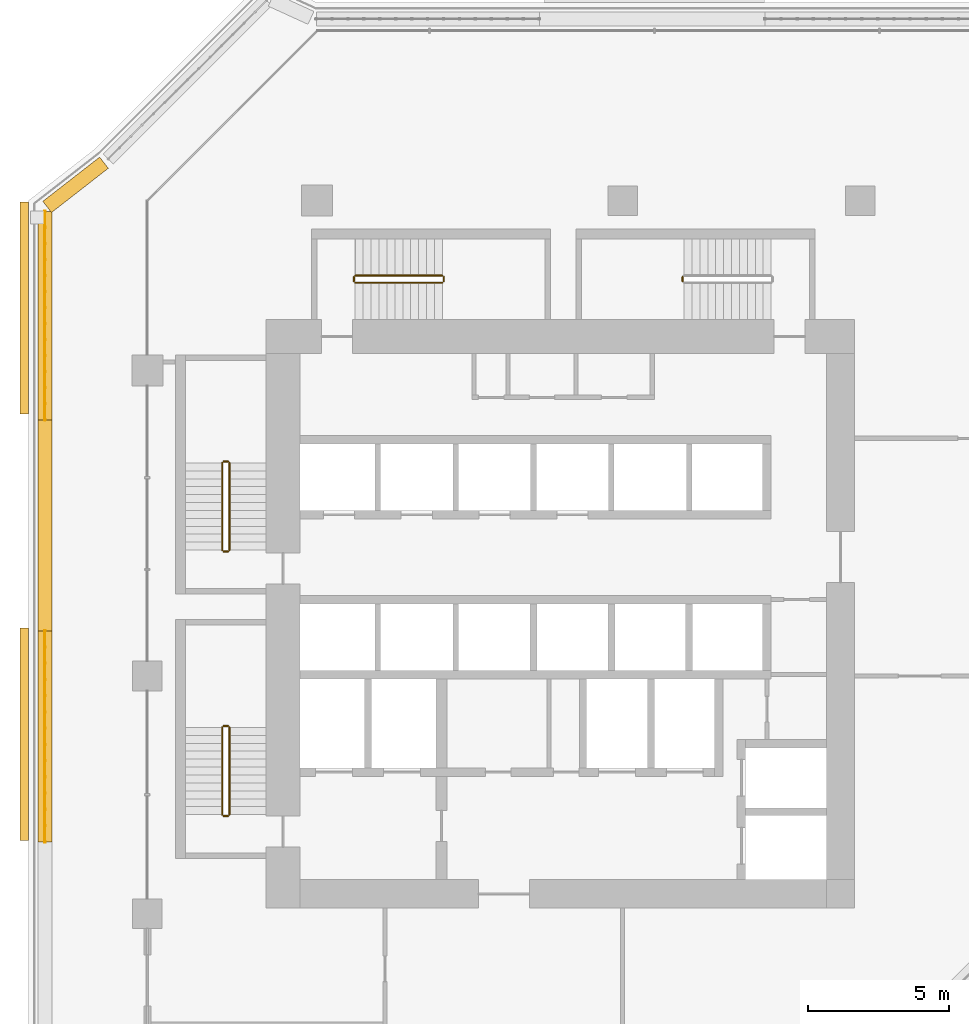
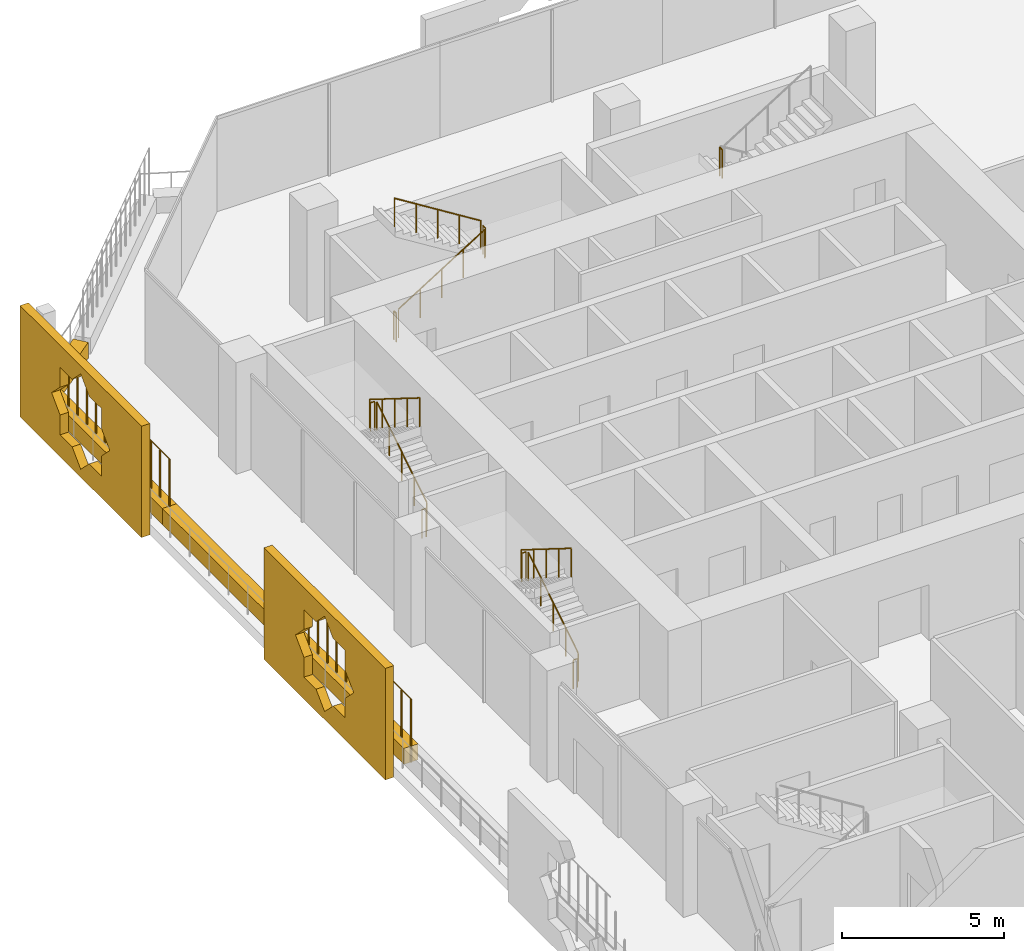
# One storey, part 21 of 25: 15 railings, 6 coverings.
"""IFC4 building model written with IfcOpenShell, lengths in metres."""

import ifcopenshell
import ifcopenshell.guid

model = None  # the IFC model being written
_history = None  # IfcOwnerHistory: only IFC2X3 demands one
_inside = {}  # id of a spatial element -> (the spatial element, [elements in it])
_under = {}  # id of a project, library or spatial element -> (it, [spatial elements below it])
_declared = {}  # id of a project -> (the project, [libraries it declares])
_typed = {}  # id of a type object -> (the type object, [elements of that type])
_made_of = {}  # id of a material, layer set ... -> (it, [elements and type objects made of it])


def new_model(schema):
    """Start an empty IFC model of exactly this schema.

    Asked for "IFC4X3", IfcOpenShell would pick the latest addendum, in which some entities
    have other attributes; the version numbers below select the first issue.
    IFC2X3 requires an IfcOwnerHistory on every rooted entity: one is made here for all.
    """
    global model, _history
    if schema == "IFC4X3":
        model = ifcopenshell.file(schema_version=(4, 3, 0, 0))
    else:
        model = ifcopenshell.file(schema=schema)
    _inside.clear()
    _under.clear()
    _declared.clear()
    _typed.clear()
    _made_of.clear()
    _history = None
    if model.schema == "IFC2X3":
        org = make("IfcOrganization", Name="unknown")
        user = make(
            "IfcPersonAndOrganization",
            ThePerson=make("IfcPerson", FamilyName="unknown"),
            TheOrganization=org,
        )
        app = make(
            "IfcApplication",
            ApplicationDeveloper=org,
            Version="unknown",
            ApplicationFullName="unknown",
            ApplicationIdentifier="unknown",
        )
        _history = make(
            "IfcOwnerHistory",
            OwningUser=user,
            OwningApplication=app,
            ChangeAction="ADDED",
            CreationDate=0,
        )
    return model


def make(cls, **values):
    """One entity of the class cls with the attributes given. An attribute that is None is left unset."""
    return model.create_entity(
        cls, **{name: value for name, value in values.items() if value is not None}
    )


def rooted(cls, **values):
    """An entity with a GlobalId (a new one), such as an element, a storey or a relation."""
    return make(cls, GlobalId=ifcopenshell.guid.new(), OwnerHistory=_history, **values)


def si_unit(unit_type, name, prefix=None):
    """IfcSIUnit, for example si_unit("LENGTHUNIT", "METRE", prefix="MILLI")."""
    return make("IfcSIUnit", UnitType=unit_type, Prefix=prefix, Name=name)


def assignment(units):
    """IfcUnitAssignment: the units of a project."""
    return None if units is None else make("IfcUnitAssignment", Units=units)


def point(xyz):
    """IfcCartesianPoint."""
    return None if xyz is None else make("IfcCartesianPoint", Coordinates=xyz)


def direction(xyz):
    """IfcDirection."""
    return None if xyz is None else make("IfcDirection", DirectionRatios=xyz)


def frame(location, z_axis=None, x_axis=None):
    """IfcAxis2Placement3D, a coordinate frame: its origin and axes. An axis left out is left unset."""
    return make(
        "IfcAxis2Placement3D",
        Location=point(location),
        Axis=direction(z_axis),
        RefDirection=direction(x_axis),
    )


def frame_2d(location, x_axis=None):
    """IfcAxis2Placement2D, a coordinate frame in the plane: its origin and x axis."""
    return make(
        "IfcAxis2Placement2D", Location=point(location), RefDirection=direction(x_axis)
    )


def origin():
    """The frame at (0, 0, 0) with its axes left unset."""
    return frame((0.0, 0.0, 0.0))


def origin_2d():
    """The frame at (0, 0) in the plane with its x axis left unset."""
    return frame_2d((0.0, 0.0))


def place(relative_to, where):
    """IfcLocalPlacement: puts the frame where relative to a parent placement (None: the world)."""
    return make(
        "IfcLocalPlacement", PlacementRelTo=relative_to, RelativePlacement=where
    )


def context(
    kind, dimensions, precision=None, world=None, true_north=None, identifier=None
):
    """IfcGeometricRepresentationContext, for example the 3D "Model" context."""
    return make(
        "IfcGeometricRepresentationContext",
        ContextIdentifier=identifier,
        ContextType=kind,
        CoordinateSpaceDimension=dimensions,
        Precision=precision,
        WorldCoordinateSystem=world,
        TrueNorth=true_north,
    )


def subcontext(parent, identifier, kind, view, scale=None):
    """IfcGeometricRepresentationSubContext, for example "Body" below "Model"."""
    return make(
        "IfcGeometricRepresentationSubContext",
        ContextIdentifier=identifier,
        ContextType=kind,
        ParentContext=parent,
        TargetScale=scale,
        TargetView=view,
    )


def project(units=None, contexts=None):
    """IfcProject with its units and contexts."""
    return rooted(
        "IfcProject",
        Name="project",
        RepresentationContexts=contexts,
        UnitsInContext=assignment(units),
    )


def spatial(cls, under=None, at=None, **own):
    """A site, building, storey or space (cls), placed at a placement, below another one or the project."""
    s = rooted(cls, ObjectPlacement=at, **own)
    if under is not None:
        _under.setdefault(under.id(), (under, []))[1].append(s)
    return s


def polyline(points):
    """IfcPolyline through the points."""
    return make("IfcPolyline", Points=[point(p) for p in points])


def profile(cls, at=None, kind="AREA", **sizes):
    """A parametric profile (cls). Its sizes go by their IFC names, for example OverallWidth=200.0."""
    return make(cls, ProfileType=kind, Position=at, **sizes)


def rectangle(**sizes):
    """IfcRectangleProfileDef."""
    return profile("IfcRectangleProfileDef", **sizes)


def circle(**sizes):
    """IfcCircleProfileDef."""
    return profile("IfcCircleProfileDef", **sizes)


def outline(outer, holes=None, kind="AREA"):
    """IfcArbitraryClosedProfileDef: a profile drawn as a closed curve; with holes, ...WithVoids."""
    if holes is None:
        return make("IfcArbitraryClosedProfileDef", ProfileType=kind, OuterCurve=outer)
    return make(
        "IfcArbitraryProfileDefWithVoids",
        ProfileType=kind,
        OuterCurve=outer,
        InnerCurves=holes,
    )


def extrude(swept, where, along, depth):
    """IfcExtrudedAreaSolid: the profile swept, set in the frame where, extruded along a direction by depth."""
    return make(
        "IfcExtrudedAreaSolid",
        SweptArea=swept,
        Position=where,
        ExtrudedDirection=direction(along),
        Depth=depth,
    )


def shape(context_of_items, identifier, shape_type, items):
    """IfcShapeRepresentation: the items that make up one representation, for example the "Body"."""
    return make(
        "IfcShapeRepresentation",
        ContextOfItems=context_of_items,
        RepresentationIdentifier=identifier,
        RepresentationType=shape_type,
        Items=items,
    )


def material(Name=None, Category=None):
    """IfcMaterial."""
    return make("IfcMaterial", Name=Name, Category=Category)


def material_profile(
    of_material, cross_section, Name=None, Category=None, Priority=None
):
    """IfcMaterialProfile: a cross section and its material."""
    return make(
        "IfcMaterialProfile",
        Name=Name,
        Material=of_material,
        Profile=cross_section,
        Priority=Priority,
        Category=Category,
    )


def profile_set(profiles, Name=None, composite=None):
    """IfcMaterialProfileSet."""
    return make(
        "IfcMaterialProfileSet",
        Name=Name,
        MaterialProfiles=profiles,
        CompositeProfile=composite,
    )


def made_of(thing, what):
    """Note that an element or type object is made of a material, layer set ...; save() writes the relation."""
    if what is not None:
        _made_of.setdefault(what.id(), (what, []))[1].append(thing)
    return thing


def type_object(cls, material=None, **own):
    """A type object (cls), such as IfcWallType, which elements share."""
    return made_of(rooted(cls, **own), material)


def element(
    cls,
    number,
    at=None,
    inside=None,
    cuts=None,
    type_object=None,
    material=None,
    context=None,
    identifier="Body",
    shape_type=None,
    held_by="IfcProductDefinitionShape",
    body=None,
    shapes=None,
    **own,
):
    """One element of the class cls, such as IfcWall. Its Tag is "e" and its number.

    at: its placement. inside: the storey or other place that contains it. cuts: it is an
    opening in that element (IfcRelVoidsElement). A single representation is given by context,
    identifier, shape_type and body (its items); several are given by shapes. held_by: the class
    of the entity that holds the representations. save() writes the other relations.
    """
    e = rooted(cls, Tag="e%d" % number, ObjectPlacement=at, **own)
    if body is not None:
        shapes = [shape(context, identifier, shape_type, body)]
    if shapes is not None:
        e.Representation = make(held_by, Representations=shapes)
    if inside is not None:
        _inside.setdefault(inside.id(), (inside, []))[1].append(e)
    if cuts is not None:
        rooted(
            "IfcRelVoidsElement", RelatingBuildingElement=cuts, RelatedOpeningElement=e
        )
    if type_object is not None:
        _typed.setdefault(type_object.id(), (type_object, []))[1].append(e)
    return made_of(e, material)


def aggregate(whole, parts):
    """IfcRelAggregates: a whole, such as a stair, and the parts it consists of."""
    return rooted("IfcRelAggregates", RelatingObject=whole, RelatedObjects=parts)


def save(model, path):
    """Write the relations noted so far, then the file.

    IfcRelAggregates (storeys below a building ...), IfcRelContainedInSpatialStructure (elements
    in a storey), IfcRelDefinesByType, IfcRelAssociatesMaterial and IfcRelDeclares: one each for
    every whole, place, type object, material and project.
    """
    for whole, parts in _under.values():
        aggregate(whole, parts)
    for where, things in _inside.values():
        rooted(
            "IfcRelContainedInSpatialStructure",
            RelatedElements=things,
            RelatingStructure=where,
        )
    for kind, things in _typed.values():
        rooted("IfcRelDefinesByType", RelatedObjects=things, RelatingType=kind)
    for what, things in _made_of.values():
        rooted("IfcRelAssociatesMaterial", RelatedObjects=things, RelatingMaterial=what)
    for by, libraries in _declared.values():
        rooted("IfcRelDeclares", RelatingContext=by, RelatedDefinitions=libraries)
    model.write(path)


model = new_model("IFC4")

# Units and contexts
model_context = context("Model", 3, precision=1e-05, world=origin(), true_north=direction((0.0, 1.0)))
body_context = subcontext(model_context, "Body", "Model", "MODEL_VIEW")
ifc_project = project(units=[si_unit("LENGTHUNIT", "METRE"), si_unit("AREAUNIT", "SQUARE_METRE"), si_unit("VOLUMEUNIT", "CUBIC_METRE"), si_unit("PLANEANGLEUNIT", "RADIAN"), si_unit("MASSUNIT", "GRAM", prefix="KILO")], contexts=[model_context])

# Site, building, storey
site_placement = place(None, origin())
site = spatial("IfcSite", under=ifc_project, at=site_placement, CompositionType="ELEMENT")
building_placement = place(site_placement, origin())
building = spatial("IfcBuilding", under=site, at=building_placement, Name="Kawkab Arch Medical Tower", CompositionType="ELEMENT")
storey_placement = place(building_placement, frame((0.0, 0.0, 136.60009765625)))
storey = spatial("IfcBuildingStorey", under=building, at=storey_placement, Name="L31", CompositionType="ELEMENT", Elevation=136.60009765625)

# Coverings
ifc_material_1 = material(Name="Bronze anodised aluminium mashrabiya panel, eight-point star pattern", Category="aluminium")
ifc_material_profile_1 = material_profile(ifc_material_1, outline(polyline([(-3.75, -2.10009765625), (3.75, -2.10009765625), (3.75, 2.10009765625), (-3.75, 2.10009765625), (-3.75, -2.10009765625)]), holes=[polyline([(1.800048828125, 0.0), (1.272705078125, 0.527099609375), (1.272705078125, 1.272705078125), (0.527099609375, 1.272705078125), (0.0, 1.800048828125), (-0.527099609375, 1.272705078125), (-1.272705078125, 1.272705078125), (-1.272705078125, 0.527099609375), (-1.800048828125, 0.0), (-1.272705078125, -0.527099609375), (-1.272705078125, -1.272705078125), (-0.527099609375, -1.272705078125), (0.0, -1.800048828125), (0.527099609375, -1.272705078125), (1.272705078125, -1.272705078125), (1.272705078125, -0.527099609375), (1.800048828125, 0.0)])]), Name="Mashrabiya panel 7500x4200")
ifc_profile_set_1 = profile_set([ifc_material_profile_1], Name="Bronze anodised aluminium mashrabiya panel, eight-point star pattern")
covering_type_1 = type_object("IfcCoveringType", Name="Mashrabiya panel 7500 x 4200", PredefinedType="USERDEFINED", material=ifc_profile_set_1)
for number, where, z_axis, x_axis, name in (
    (1, (-4.199951171875, -18.8583984375, 1.699951171875), (-1.0, 0.0, 0.0), (0.0, -1.0, 0.0), "Mashrabiya panel L31.LOG-01-01.4"),
    (2, (-4.199951171875, -3.795654296875, 1.699951171875), (-1.0, 0.0, 0.0), (0.0, -1.0, 0.0), "Mashrabiya panel L31.LOG-01-01.5"),
):
    element("IfcCovering", number, at=place(storey_placement, frame(where, z_axis=z_axis, x_axis=x_axis)), inside=storey, type_object=covering_type_1, Name=name, ObjectType="SCREEN", PredefinedType="USERDEFINED", context=body_context, shape_type="SweptSolid", body=[
        extrude(outline(polyline([(-3.75, -2.10009765625), (3.75, -2.10009765625), (3.75, 2.10009765625), (-3.75, 2.10009765625), (-3.75, -2.10009765625)]), holes=[polyline([(1.800048828125, 0.0), (1.272705078125, 0.527099609375), (1.272705078125, 1.272705078125), (0.527099609375, 1.272705078125), (0.0, 1.800048828125), (-0.527099609375, 1.272705078125), (-1.272705078125, 1.272705078125), (-1.272705078125, 0.527099609375), (-1.800048828125, 0.0), (-1.272705078125, -0.527099609375), (-1.272705078125, -1.272705078125), (-0.527099609375, -1.272705078125), (0.0, -1.800048828125), (0.527099609375, -1.272705078125), (1.272705078125, -1.272705078125), (1.272705078125, -0.527099609375), (1.800048828125, 0.0)])]), origin(), (0.0, 0.0, 1.0), 0.300048828125),
    ])
ifc_material_2 = material(Name="Planting soil in a precast trough", Category="concrete")
ifc_material_profile_2 = material_profile(ifc_material_2, rectangle(XDim=0.5, YDim=0.60009765625, at=origin_2d()), Name="Trough 500x600")
ifc_profile_set_2 = profile_set([ifc_material_profile_2], Name="Planting soil in a precast trough")
covering_type_2 = type_object("IfcCoveringType", Name="Planter trough 500 x 600", PredefinedType="USERDEFINED", material=ifc_profile_set_2)
for number, where, z_axis, x_axis, name in (
    (3, (-3.6201171875, -22.6689453125, 0.2998046875), (0.0, 1.0, 0.0), (-1.0, 0.0, 0.0), "Planter L31.LOG-01-01.11"),
    (4, (-3.6201171875, -15.20703125, 0.2998046875), (0.0, 1.0, 0.0), (-1.0, 0.0, 0.0), "Planter L31.LOG-01-01.12"),
):
    element("IfcCovering", number, at=place(storey_placement, frame(where, z_axis=z_axis, x_axis=x_axis)), inside=storey, type_object=covering_type_2, Name=name, ObjectType="PLANTER", PredefinedType="USERDEFINED", context=body_context, shape_type="SweptSolid", body=[
        extrude(rectangle(XDim=0.5, YDim=0.60009765625, at=origin_2d()), origin(), (0.0, 0.0, 1.0), 7.4619140625),
    ])
covering_1_placement = place(storey_placement, frame((-3.6201171875, -7.7451171875, 0.2998046875), z_axis=(0.0, 1.0, 0.0), x_axis=(-1.0, 0.0, 0.0)))
element("IfcCovering", 5, at=covering_1_placement, inside=storey, type_object=covering_type_2, Name="Planter L31.LOG-01-01.13", ObjectType="PLANTER", PredefinedType="USERDEFINED", context=body_context, shape_type="SweptSolid", body=[
    extrude(rectangle(XDim=0.5, YDim=0.60009765625, at=origin_2d()), origin(), (0.0, 0.0, 1.0), 7.361083984375),
])
covering_2_placement = place(storey_placement, frame((-3.541015625, -0.221923828125, 0.2998046875), z_axis=(0.789274742246, 0.61404021143, 0.0), x_axis=(-0.61404021143, 0.789274742246, 0.0)))
element("IfcCovering", 6, at=covering_2_placement, inside=storey, type_object=covering_type_2, Name="Planter L31.LOG-01-01.14", ObjectType="PLANTER", PredefinedType="USERDEFINED", context=body_context, shape_type="SweptSolid", body=[
    extrude(rectangle(XDim=0.5, YDim=0.60009765625, at=origin_2d()), origin(), (0.0, 0.0, 1.0), 2.54541015625),
])

# Railings
ifc_material_3 = material(Name="Bronze anodised aluminium trellis for climbing plants", Category="aluminium")
railing_type_1 = type_object("IfcRailingType", Name="Planting trellis 2400", PredefinedType="USERDEFINED", material=ifc_material_3)
railing_1_placement = place(storey_placement, frame((-3.6201171875, -22.6689453125, 0.0)))
element("IfcRailing", 7, at=railing_1_placement, inside=storey, type_object=railing_type_1, Name="Planting trellis L31.LOG-01-01.11", ObjectType="TRELLIS", PredefinedType="USERDEFINED", context=body_context, shape_type="SweptSolid", body=[
    extrude(circle(Radius=0.01513671875, at=origin_2d()), frame((0.0, 0.0, 2.384765625), z_axis=(0.0, 1.0, 0.0), x_axis=(-1.0, 0.0, 0.0)), (0.0, 0.0, 1.0), 7.4619140625),
    extrude(circle(Radius=0.030029296875, at=origin_2d()), origin(), (0.0, 0.0, 1.0), 2.369873046875),
    extrude(circle(Radius=0.030029296875, at=origin_2d()), frame((0.0, 0.573974609375, 0.0)), (0.0, 0.0, 1.0), 2.369873046875),
    extrude(circle(Radius=0.030029296875, at=origin_2d()), frame((0.0, 1.14794921875, 0.0)), (0.0, 0.0, 1.0), 2.369873046875),
    extrude(circle(Radius=0.030029296875, at=origin_2d()), frame((0.0, 1.721923828125, 0.0)), (0.0, 0.0, 1.0), 2.369873046875),
    extrude(circle(Radius=0.030029296875, at=origin_2d()), frame((0.0, 2.2958984375, 0.0)), (0.0, 0.0, 1.0), 2.369873046875),
    extrude(circle(Radius=0.030029296875, at=origin_2d()), frame((0.0, 2.869873046875, 0.0)), (0.0, 0.0, 1.0), 2.369873046875),
    extrude(circle(Radius=0.030029296875, at=origin_2d()), frame((0.0, 3.44384765625, 0.0)), (0.0, 0.0, 1.0), 2.369873046875),
    extrude(circle(Radius=0.030029296875, at=origin_2d()), frame((0.0, 4.01806640625, 0.0)), (0.0, 0.0, 1.0), 2.369873046875),
    extrude(circle(Radius=0.030029296875, at=origin_2d()), frame((0.0, 4.592041015625, 0.0)), (0.0, 0.0, 1.0), 2.369873046875),
    extrude(circle(Radius=0.030029296875, at=origin_2d()), frame((0.0, 5.166015625, 0.0)), (0.0, 0.0, 1.0), 2.369873046875),
    extrude(circle(Radius=0.030029296875, at=origin_2d()), frame((0.0, 5.739990234375, 0.0)), (0.0, 0.0, 1.0), 2.369873046875),
    extrude(circle(Radius=0.030029296875, at=origin_2d()), frame((0.0, 6.31396484375, 0.0)), (0.0, 0.0, 1.0), 2.369873046875),
    extrude(circle(Radius=0.030029296875, at=origin_2d()), frame((0.0, 6.887939453125, 0.0)), (0.0, 0.0, 1.0), 2.369873046875),
    extrude(circle(Radius=0.030029296875, at=origin_2d()), frame((0.0, 7.4619140625, 0.0)), (0.0, 0.0, 1.0), 2.369873046875),
])
railing_2_placement = place(storey_placement, frame((-3.6201171875, -7.7451171875, 0.0)))
element("IfcRailing", 8, at=railing_2_placement, inside=storey, type_object=railing_type_1, Name="Planting trellis L31.LOG-01-01.13", ObjectType="TRELLIS", PredefinedType="USERDEFINED", context=body_context, shape_type="SweptSolid", body=[
    extrude(circle(Radius=0.01513671875, at=origin_2d()), frame((0.0, 0.0, 2.384765625), z_axis=(0.0, 1.0, 0.0), x_axis=(-1.0, 0.0, 0.0)), (0.0, 0.0, 1.0), 7.361083984375),
    extrude(circle(Radius=0.030029296875, at=origin_2d()), origin(), (0.0, 0.0, 1.0), 2.369873046875),
    extrude(circle(Radius=0.030029296875, at=origin_2d()), frame((0.0, 0.566162109375, 0.0)), (0.0, 0.0, 1.0), 2.369873046875),
    extrude(circle(Radius=0.030029296875, at=origin_2d()), frame((0.0, 1.132568359375, 0.0)), (0.0, 0.0, 1.0), 2.369873046875),
    extrude(circle(Radius=0.030029296875, at=origin_2d()), frame((0.0, 1.69873046875, 0.0)), (0.0, 0.0, 1.0), 2.369873046875),
    extrude(circle(Radius=0.030029296875, at=origin_2d()), frame((0.0, 2.264892578125, 0.0)), (0.0, 0.0, 1.0), 2.369873046875),
    extrude(circle(Radius=0.030029296875, at=origin_2d()), frame((0.0, 2.831298828125, 0.0)), (0.0, 0.0, 1.0), 2.369873046875),
    extrude(circle(Radius=0.030029296875, at=origin_2d()), frame((0.0, 3.3974609375, 0.0)), (0.0, 0.0, 1.0), 2.369873046875),
    extrude(circle(Radius=0.030029296875, at=origin_2d()), frame((0.0, 3.963623046875, 0.0)), (0.0, 0.0, 1.0), 2.369873046875),
    extrude(circle(Radius=0.030029296875, at=origin_2d()), frame((0.0, 4.52978515625, 0.0)), (0.0, 0.0, 1.0), 2.369873046875),
    extrude(circle(Radius=0.030029296875, at=origin_2d()), frame((0.0, 5.09619140625, 0.0)), (0.0, 0.0, 1.0), 2.369873046875),
    extrude(circle(Radius=0.030029296875, at=origin_2d()), frame((0.0, 5.662353515625, 0.0)), (0.0, 0.0, 1.0), 2.369873046875),
    extrude(circle(Radius=0.030029296875, at=origin_2d()), frame((0.0, 6.228515625, 0.0)), (0.0, 0.0, 1.0), 2.369873046875),
    extrude(circle(Radius=0.030029296875, at=origin_2d()), frame((0.0, 6.794921875, 0.0)), (0.0, 0.0, 1.0), 2.369873046875),
    extrude(circle(Radius=0.030029296875, at=origin_2d()), frame((0.0, 7.361083984375, 0.0)), (0.0, 0.0, 1.0), 2.369873046875),
])
ifc_material_4 = material(Name="Stainless steel", Category="steel")
railing_type_2 = type_object("IfcRailingType", Name="Stair guard 1100", PredefinedType="GUARDRAIL", material=ifc_material_4)
railing_3_placement = place(storey_placement, frame((2.89990234375, -12.35009765625, 0.1748046875)))
element("IfcRailing", 9, at=railing_3_placement, inside=storey, type_object=railing_type_2, Name="L31 ST1 stair guard 1", PredefinedType="GUARDRAIL", context=body_context, shape_type="SweptSolid", body=[
    extrude(circle(Radius=0.02392578125, at=origin_2d()), frame((0.0, 0.0, 1.076171875), z_axis=(0.0, 0.847998304005, 0.529998940003), x_axis=(-1.0, 0.0, 0.0)), (0.0, 0.0, 1.0), 3.632080078125),
    extrude(circle(Radius=0.02099609375, at=origin_2d()), origin(), (0.0, 0.0, 1.0), 1.052001953125),
    extrude(circle(Radius=0.02099609375, at=origin_2d()), frame((0.0, 0.77001953125, 0.481201171875)), (0.0, 0.0, 1.0), 1.052001953125),
    extrude(circle(Radius=0.02099609375, at=origin_2d()), frame((0.0, 1.5400390625, 0.96240234375)), (0.0, 0.0, 1.0), 1.052001953125),
    extrude(circle(Radius=0.02099609375, at=origin_2d()), frame((0.0, 2.31005859375, 1.44384765625)), (0.0, 0.0, 1.0), 1.052001953125),
    extrude(circle(Radius=0.02099609375, at=origin_2d()), frame((0.0, 3.080078125, 1.925048828125)), (0.0, 0.0, 1.0), 1.052001953125),
])
railing_4_placement = place(storey_placement, frame((2.85009765625, -9.219970703125, 2.099853515625)))
element("IfcRailing", 10, at=railing_4_placement, inside=storey, type_object=railing_type_2, Name="L31 ST1 stair guard 2", PredefinedType="GUARDRAIL", context=body_context, shape_type="SweptSolid", body=[
    extrude(circle(Radius=0.02392578125, at=origin_2d()), frame((0.0, 0.0, 1.076171875), z_axis=(-1.0, 0.0, 0.0), x_axis=(0.0, -1.0, 0.0)), (0.0, 0.0, 1.0), 0.150146484375),
    extrude(circle(Radius=0.02099609375, at=origin_2d()), origin(), (0.0, 0.0, 1.0), 1.052001953125),
    extrude(circle(Radius=0.02099609375, at=origin_2d()), frame((-0.150146484375, 0.0, 0.0)), (0.0, 0.0, 1.0), 1.052001953125),
])
railing_5_placement = place(storey_placement, frame((2.64990234375, -9.27001953125, 2.27490234375)))
element("IfcRailing", 11, at=railing_5_placement, inside=storey, type_object=railing_type_2, Name="L31 ST1 stair guard 3", PredefinedType="GUARDRAIL", context=body_context, shape_type="SweptSolid", body=[
    extrude(circle(Radius=0.02392578125, at=origin_2d()), frame((0.0, 0.0, 1.076171875), z_axis=(0.0, -0.847998304005, 0.529998940003), x_axis=(1.0, 0.0, 0.0)), (0.0, 0.0, 1.0), 3.632080078125),
    extrude(circle(Radius=0.02099609375, at=origin_2d()), origin(), (0.0, 0.0, 1.0), 1.052001953125),
    extrude(circle(Radius=0.02099609375, at=origin_2d()), frame((0.0, -0.77001953125, 0.481201171875)), (0.0, 0.0, 1.0), 1.052001953125),
    extrude(circle(Radius=0.02099609375, at=origin_2d()), frame((0.0, -1.5400390625, 0.96240234375)), (0.0, 0.0, 1.0), 1.052001953125),
    extrude(circle(Radius=0.02099609375, at=origin_2d()), frame((0.0, -2.31005859375, 1.44384765625)), (0.0, 0.0, 1.0), 1.052001953125),
    extrude(circle(Radius=0.02099609375, at=origin_2d()), frame((0.0, -3.080078125, 1.925048828125)), (0.0, 0.0, 1.0), 1.052001953125),
])
railing_6_placement = place(storey_placement, frame((2.85009765625, -12.39990234375, 0.0)))
element("IfcRailing", 12, at=railing_6_placement, inside=storey, type_object=railing_type_2, Name="L31 ST1 stair guard 4", PredefinedType="GUARDRAIL", context=body_context, shape_type="SweptSolid", body=[
    extrude(circle(Radius=0.02392578125, at=origin_2d()), frame((0.0, 0.0, 1.076171875), z_axis=(-1.0, 0.0, 0.0), x_axis=(0.0, -1.0, 0.0)), (0.0, 0.0, 1.0), 0.150146484375),
    extrude(circle(Radius=0.02099609375, at=origin_2d()), origin(), (0.0, 0.0, 1.0), 1.052001953125),
    extrude(circle(Radius=0.02099609375, at=origin_2d()), frame((-0.150146484375, 0.0, 0.0)), (0.0, 0.0, 1.0), 1.052001953125),
])
railing_7_placement = place(storey_placement, frame((2.89990234375, -21.699951171875, 0.1748046875)))
element("IfcRailing", 13, at=railing_7_placement, inside=storey, type_object=railing_type_2, Name="L31 ST2 stair guard 1", PredefinedType="GUARDRAIL", context=body_context, shape_type="SweptSolid", body=[
    extrude(circle(Radius=0.02392578125, at=origin_2d()), frame((0.0, 0.0, 1.076171875), z_axis=(0.0, 0.847979421464, 0.530029150871), x_axis=(-1.0, 0.0, 0.0)), (0.0, 0.0, 1.0), 3.632080078125),
    extrude(circle(Radius=0.02099609375, at=origin_2d()), origin(), (0.0, 0.0, 1.0), 1.052001953125),
    extrude(circle(Radius=0.02099609375, at=origin_2d()), frame((0.0, 0.77001953125, 0.481201171875)), (0.0, 0.0, 1.0), 1.052001953125),
    extrude(circle(Radius=0.02099609375, at=origin_2d()), frame((0.0, 1.5400390625, 0.96240234375)), (0.0, 0.0, 1.0), 1.052001953125),
    extrude(circle(Radius=0.02099609375, at=origin_2d()), frame((0.0, 2.309814453125, 1.44384765625)), (0.0, 0.0, 1.0), 1.052001953125),
    extrude(circle(Radius=0.02099609375, at=origin_2d()), frame((0.0, 3.079833984375, 1.925048828125)), (0.0, 0.0, 1.0), 1.052001953125),
])
railing_8_placement = place(storey_placement, frame((2.85009765625, -18.570068359375, 2.099853515625)))
element("IfcRailing", 14, at=railing_8_placement, inside=storey, type_object=railing_type_2, Name="L31 ST2 stair guard 2", PredefinedType="GUARDRAIL", context=body_context, shape_type="SweptSolid", body=[
    extrude(circle(Radius=0.02392578125, at=origin_2d()), frame((0.0, 0.0, 1.076171875), z_axis=(-1.0, 0.0, 0.0), x_axis=(0.0, -1.0, 0.0)), (0.0, 0.0, 1.0), 0.150146484375),
    extrude(circle(Radius=0.02099609375, at=origin_2d()), origin(), (0.0, 0.0, 1.0), 1.052001953125),
    extrude(circle(Radius=0.02099609375, at=origin_2d()), frame((-0.150146484375, 0.0, 0.0)), (0.0, 0.0, 1.0), 1.052001953125),
])
railing_9_placement = place(storey_placement, frame((2.64990234375, -18.6201171875, 2.27490234375)))
element("IfcRailing", 15, at=railing_9_placement, inside=storey, type_object=railing_type_2, Name="L31 ST2 stair guard 3", PredefinedType="GUARDRAIL", context=body_context, shape_type="SweptSolid", body=[
    extrude(circle(Radius=0.02392578125, at=origin_2d()), frame((0.0, 0.0, 1.076171875), z_axis=(0.0, -0.847979421464, 0.530029150871), x_axis=(1.0, 0.0, 0.0)), (0.0, 0.0, 1.0), 3.632080078125),
    extrude(circle(Radius=0.02099609375, at=origin_2d()), origin(), (0.0, 0.0, 1.0), 1.052001953125),
    extrude(circle(Radius=0.02099609375, at=origin_2d()), frame((0.0, -0.77001953125, 0.481201171875)), (0.0, 0.0, 1.0), 1.052001953125),
    extrude(circle(Radius=0.02099609375, at=origin_2d()), frame((0.0, -1.5400390625, 0.96240234375)), (0.0, 0.0, 1.0), 1.052001953125),
    extrude(circle(Radius=0.02099609375, at=origin_2d()), frame((0.0, -2.309814453125, 1.44384765625)), (0.0, 0.0, 1.0), 1.052001953125),
    extrude(circle(Radius=0.02099609375, at=origin_2d()), frame((0.0, -3.079833984375, 1.925048828125)), (0.0, 0.0, 1.0), 1.052001953125),
])
railing_10_placement = place(storey_placement, frame((2.85009765625, -21.75, 0.0)))
element("IfcRailing", 16, at=railing_10_placement, inside=storey, type_object=railing_type_2, Name="L31 ST2 stair guard 4", PredefinedType="GUARDRAIL", context=body_context, shape_type="SweptSolid", body=[
    extrude(circle(Radius=0.02392578125, at=origin_2d()), frame((0.0, 0.0, 1.076171875), z_axis=(-1.0, 0.0, 0.0), x_axis=(0.0, -1.0, 0.0)), (0.0, 0.0, 1.0), 0.150146484375),
    extrude(circle(Radius=0.02099609375, at=origin_2d()), origin(), (0.0, 0.0, 1.0), 1.052001953125),
    extrude(circle(Radius=0.02099609375, at=origin_2d()), frame((-0.150146484375, 0.0, 0.0)), (0.0, 0.0, 1.0), 1.052001953125),
])
railing_11_placement = place(storey_placement, frame((7.35009765625, -2.89990234375, 0.1748046875)))
element("IfcRailing", 17, at=railing_11_placement, inside=storey, type_object=railing_type_2, Name="L31 ST3 stair guard 1", PredefinedType="GUARDRAIL", context=body_context, shape_type="SweptSolid", body=[
    extrude(circle(Radius=0.02392578125, at=origin_2d()), frame((0.0, 0.0, 1.076171875), z_axis=(0.847979421464, 0.0, 0.530029150871), x_axis=(0.0, 1.0, 0.0)), (0.0, 0.0, 1.0), 3.632080078125),
    extrude(circle(Radius=0.02099609375, at=origin_2d()), origin(), (0.0, 0.0, 1.0), 1.052001953125),
    extrude(circle(Radius=0.02099609375, at=origin_2d()), frame((0.77001953125, 0.0, 0.481201171875)), (0.0, 0.0, 1.0), 1.052001953125),
    extrude(circle(Radius=0.02099609375, at=origin_2d()), frame((1.5400390625, 0.0, 0.96240234375)), (0.0, 0.0, 1.0), 1.052001953125),
    extrude(circle(Radius=0.02099609375, at=origin_2d()), frame((2.309814453125, 0.0, 1.44384765625)), (0.0, 0.0, 1.0), 1.052001953125),
    extrude(circle(Radius=0.02099609375, at=origin_2d()), frame((3.079833984375, 0.0, 1.925048828125)), (0.0, 0.0, 1.0), 1.052001953125),
])
railing_12_placement = place(storey_placement, frame((10.47998046875, -2.85009765625, 2.099853515625)))
element("IfcRailing", 18, at=railing_12_placement, inside=storey, type_object=railing_type_2, Name="L31 ST3 stair guard 2", PredefinedType="GUARDRAIL", context=body_context, shape_type="SweptSolid", body=[
    extrude(circle(Radius=0.02392578125, at=origin_2d()), frame((0.0, 0.0, 1.076171875), z_axis=(0.0, 1.0, 0.0), x_axis=(-1.0, 0.0, 0.0)), (0.0, 0.0, 1.0), 0.150146484375),
    extrude(circle(Radius=0.02099609375, at=origin_2d()), origin(), (0.0, 0.0, 1.0), 1.052001953125),
    extrude(circle(Radius=0.02099609375, at=origin_2d()), frame((0.0, 0.150146484375, 0.0)), (0.0, 0.0, 1.0), 1.052001953125),
])
railing_13_placement = place(storey_placement, frame((10.429931640625, -2.64990234375, 2.27490234375)))
element("IfcRailing", 19, at=railing_13_placement, inside=storey, type_object=railing_type_2, Name="L31 ST3 stair guard 3", PredefinedType="GUARDRAIL", context=body_context, shape_type="SweptSolid", body=[
    extrude(circle(Radius=0.02392578125, at=origin_2d()), frame((0.0, 0.0, 1.076171875), z_axis=(-0.847979421464, 0.0, 0.530029150871), x_axis=(0.0, -1.0, 0.0)), (0.0, 0.0, 1.0), 3.632080078125),
    extrude(circle(Radius=0.02099609375, at=origin_2d()), origin(), (0.0, 0.0, 1.0), 1.052001953125),
    extrude(circle(Radius=0.02099609375, at=origin_2d()), frame((-0.77001953125, 0.0, 0.481201171875)), (0.0, 0.0, 1.0), 1.052001953125),
    extrude(circle(Radius=0.02099609375, at=origin_2d()), frame((-1.5400390625, 0.0, 0.96240234375)), (0.0, 0.0, 1.0), 1.052001953125),
    extrude(circle(Radius=0.02099609375, at=origin_2d()), frame((-2.309814453125, 0.0, 1.44384765625)), (0.0, 0.0, 1.0), 1.052001953125),
    extrude(circle(Radius=0.02099609375, at=origin_2d()), frame((-3.079833984375, 0.0, 1.925048828125)), (0.0, 0.0, 1.0), 1.052001953125),
])
railing_14_placement = place(storey_placement, frame((7.300048828125, -2.85009765625, 0.0)))
element("IfcRailing", 20, at=railing_14_placement, inside=storey, type_object=railing_type_2, Name="L31 ST3 stair guard 4", PredefinedType="GUARDRAIL", context=body_context, shape_type="SweptSolid", body=[
    extrude(circle(Radius=0.02392578125, at=origin_2d()), frame((0.0, 0.0, 1.076171875), z_axis=(0.0, 1.0, 0.0), x_axis=(-1.0, 0.0, 0.0)), (0.0, 0.0, 1.0), 0.150146484375),
    extrude(circle(Radius=0.02099609375, at=origin_2d()), origin(), (0.0, 0.0, 1.0), 1.052001953125),
    extrude(circle(Radius=0.02099609375, at=origin_2d()), frame((0.0, 0.150146484375, 0.0)), (0.0, 0.0, 1.0), 1.052001953125),
])
railing_15_placement = place(storey_placement, frame((18.919921875, -2.699951171875, 2.099853515625)))
element("IfcRailing", 21, at=railing_15_placement, inside=storey, type_object=railing_type_2, Name="L31 ST4 stair guard 2", PredefinedType="GUARDRAIL", context=body_context, shape_type="SweptSolid", body=[
    extrude(circle(Radius=0.02392578125, at=origin_2d()), frame((0.0, 0.0, 1.076171875), z_axis=(0.0, -1.0, 0.0), x_axis=(1.0, 0.0, 0.0)), (0.0, 0.0, 1.0), 0.150146484375),
    extrude(circle(Radius=0.02099609375, at=origin_2d()), origin(), (0.0, 0.0, 1.0), 1.052001953125),
    extrude(circle(Radius=0.02099609375, at=origin_2d()), frame((0.0, -0.150146484375, 0.0)), (0.0, 0.0, 1.0), 1.052001953125),
])

save(model, "model.ifc")
